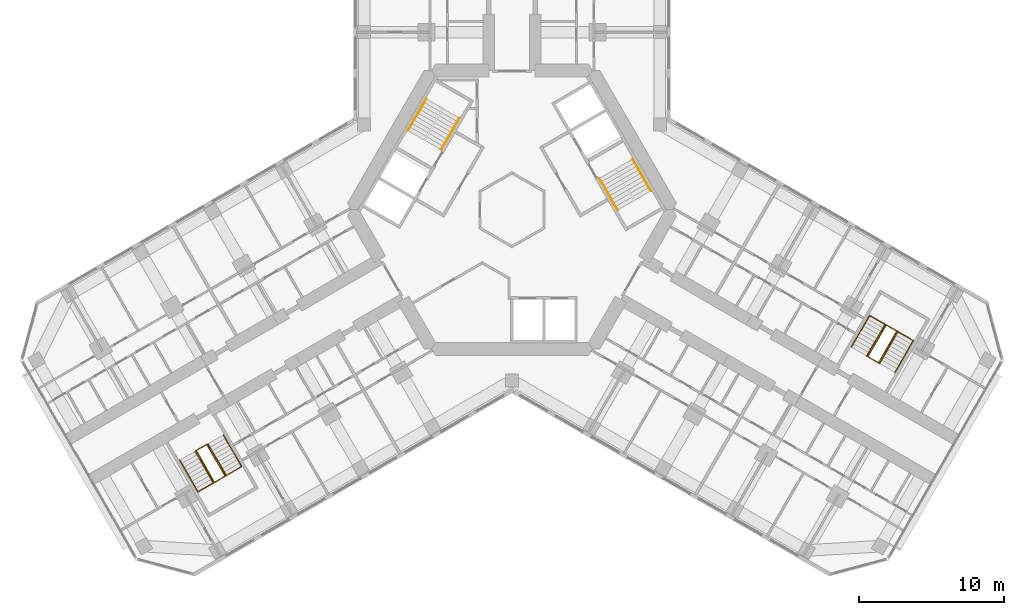
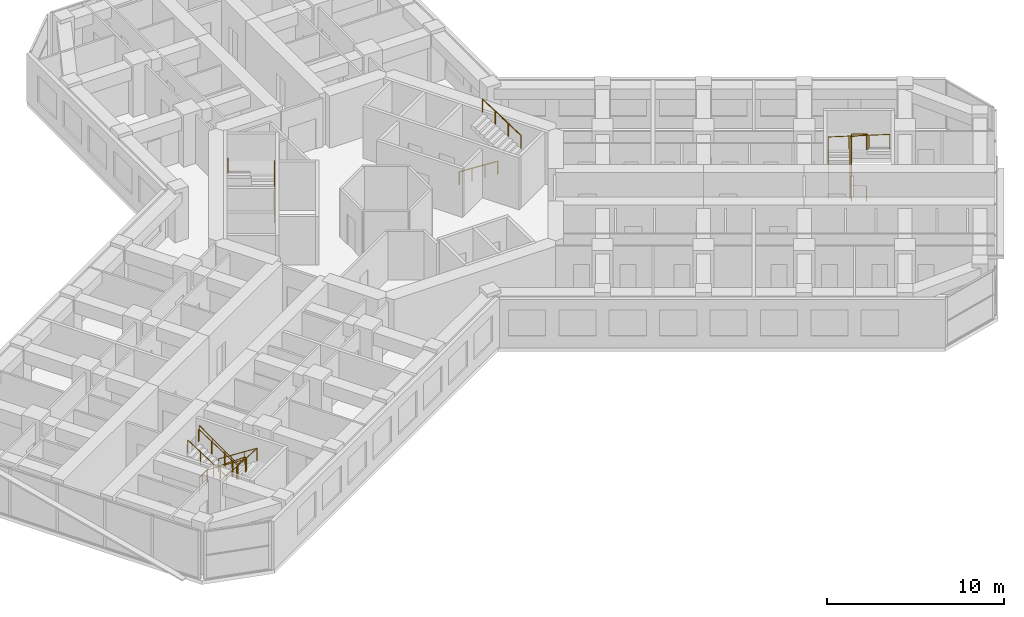
# One storey, part 20 of 20: 10 railings.
"""IFC4 building model written with IfcOpenShell, lengths in metres."""

import ifcopenshell
import ifcopenshell.guid

model = None  # the IFC model being written
_history = None  # IfcOwnerHistory: only IFC2X3 demands one
_inside = {}  # id of a spatial element -> (the spatial element, [elements in it])
_under = {}  # id of a project, library or spatial element -> (it, [spatial elements below it])
_declared = {}  # id of a project -> (the project, [libraries it declares])
_typed = {}  # id of a type object -> (the type object, [elements of that type])
_made_of = {}  # id of a material, layer set ... -> (it, [elements and type objects made of it])


def new_model(schema):
    """Start an empty IFC model of exactly this schema.

    Asked for "IFC4X3", IfcOpenShell would pick the latest addendum, in which some entities
    have other attributes; the version numbers below select the first issue.
    IFC2X3 requires an IfcOwnerHistory on every rooted entity: one is made here for all.
    """
    global model, _history
    if schema == "IFC4X3":
        model = ifcopenshell.file(schema_version=(4, 3, 0, 0))
    else:
        model = ifcopenshell.file(schema=schema)
    _inside.clear()
    _under.clear()
    _declared.clear()
    _typed.clear()
    _made_of.clear()
    _history = None
    if model.schema == "IFC2X3":
        org = make("IfcOrganization", Name="unknown")
        user = make(
            "IfcPersonAndOrganization",
            ThePerson=make("IfcPerson", FamilyName="unknown"),
            TheOrganization=org,
        )
        app = make(
            "IfcApplication",
            ApplicationDeveloper=org,
            Version="unknown",
            ApplicationFullName="unknown",
            ApplicationIdentifier="unknown",
        )
        _history = make(
            "IfcOwnerHistory",
            OwningUser=user,
            OwningApplication=app,
            ChangeAction="ADDED",
            CreationDate=0,
        )
    return model


def make(cls, **values):
    """One entity of the class cls with the attributes given. An attribute that is None is left unset."""
    return model.create_entity(
        cls, **{name: value for name, value in values.items() if value is not None}
    )


def rooted(cls, **values):
    """An entity with a GlobalId (a new one), such as an element, a storey or a relation."""
    return make(cls, GlobalId=ifcopenshell.guid.new(), OwnerHistory=_history, **values)


def si_unit(unit_type, name, prefix=None):
    """IfcSIUnit, for example si_unit("LENGTHUNIT", "METRE", prefix="MILLI")."""
    return make("IfcSIUnit", UnitType=unit_type, Prefix=prefix, Name=name)


def assignment(units):
    """IfcUnitAssignment: the units of a project."""
    return None if units is None else make("IfcUnitAssignment", Units=units)


def point(xyz):
    """IfcCartesianPoint."""
    return None if xyz is None else make("IfcCartesianPoint", Coordinates=xyz)


def direction(xyz):
    """IfcDirection."""
    return None if xyz is None else make("IfcDirection", DirectionRatios=xyz)


def frame(location, z_axis=None, x_axis=None):
    """IfcAxis2Placement3D, a coordinate frame: its origin and axes. An axis left out is left unset."""
    return make(
        "IfcAxis2Placement3D",
        Location=point(location),
        Axis=direction(z_axis),
        RefDirection=direction(x_axis),
    )


def frame_2d(location, x_axis=None):
    """IfcAxis2Placement2D, a coordinate frame in the plane: its origin and x axis."""
    return make(
        "IfcAxis2Placement2D", Location=point(location), RefDirection=direction(x_axis)
    )


def origin():
    """The frame at (0, 0, 0) with its axes left unset."""
    return frame((0.0, 0.0, 0.0))


def origin_2d():
    """The frame at (0, 0) in the plane with its x axis left unset."""
    return frame_2d((0.0, 0.0))


def place(relative_to, where):
    """IfcLocalPlacement: puts the frame where relative to a parent placement (None: the world)."""
    return make(
        "IfcLocalPlacement", PlacementRelTo=relative_to, RelativePlacement=where
    )


def context(
    kind, dimensions, precision=None, world=None, true_north=None, identifier=None
):
    """IfcGeometricRepresentationContext, for example the 3D "Model" context."""
    return make(
        "IfcGeometricRepresentationContext",
        ContextIdentifier=identifier,
        ContextType=kind,
        CoordinateSpaceDimension=dimensions,
        Precision=precision,
        WorldCoordinateSystem=world,
        TrueNorth=true_north,
    )


def subcontext(parent, identifier, kind, view, scale=None):
    """IfcGeometricRepresentationSubContext, for example "Body" below "Model"."""
    return make(
        "IfcGeometricRepresentationSubContext",
        ContextIdentifier=identifier,
        ContextType=kind,
        ParentContext=parent,
        TargetScale=scale,
        TargetView=view,
    )


def project(units=None, contexts=None):
    """IfcProject with its units and contexts."""
    return rooted(
        "IfcProject",
        Name="project",
        RepresentationContexts=contexts,
        UnitsInContext=assignment(units),
    )


def spatial(cls, under=None, at=None, **own):
    """A site, building, storey or space (cls), placed at a placement, below another one or the project."""
    s = rooted(cls, ObjectPlacement=at, **own)
    if under is not None:
        _under.setdefault(under.id(), (under, []))[1].append(s)
    return s


def profile(cls, at=None, kind="AREA", **sizes):
    """A parametric profile (cls). Its sizes go by their IFC names, for example OverallWidth=200.0."""
    return make(cls, ProfileType=kind, Position=at, **sizes)


def circle(**sizes):
    """IfcCircleProfileDef."""
    return profile("IfcCircleProfileDef", **sizes)


def extrude(swept, where, along, depth):
    """IfcExtrudedAreaSolid: the profile swept, set in the frame where, extruded along a direction by depth."""
    return make(
        "IfcExtrudedAreaSolid",
        SweptArea=swept,
        Position=where,
        ExtrudedDirection=direction(along),
        Depth=depth,
    )


def shape(context_of_items, identifier, shape_type, items):
    """IfcShapeRepresentation: the items that make up one representation, for example the "Body"."""
    return make(
        "IfcShapeRepresentation",
        ContextOfItems=context_of_items,
        RepresentationIdentifier=identifier,
        RepresentationType=shape_type,
        Items=items,
    )


def material(Name=None, Category=None):
    """IfcMaterial."""
    return make("IfcMaterial", Name=Name, Category=Category)


def made_of(thing, what):
    """Note that an element or type object is made of a material, layer set ...; save() writes the relation."""
    if what is not None:
        _made_of.setdefault(what.id(), (what, []))[1].append(thing)
    return thing


def type_object(cls, material=None, **own):
    """A type object (cls), such as IfcWallType, which elements share."""
    return made_of(rooted(cls, **own), material)


def element(
    cls,
    number,
    at=None,
    inside=None,
    cuts=None,
    type_object=None,
    material=None,
    context=None,
    identifier="Body",
    shape_type=None,
    held_by="IfcProductDefinitionShape",
    body=None,
    shapes=None,
    **own,
):
    """One element of the class cls, such as IfcWall. Its Tag is "e" and its number.

    at: its placement. inside: the storey or other place that contains it. cuts: it is an
    opening in that element (IfcRelVoidsElement). A single representation is given by context,
    identifier, shape_type and body (its items); several are given by shapes. held_by: the class
    of the entity that holds the representations. save() writes the other relations.
    """
    e = rooted(cls, Tag="e%d" % number, ObjectPlacement=at, **own)
    if body is not None:
        shapes = [shape(context, identifier, shape_type, body)]
    if shapes is not None:
        e.Representation = make(held_by, Representations=shapes)
    if inside is not None:
        _inside.setdefault(inside.id(), (inside, []))[1].append(e)
    if cuts is not None:
        rooted(
            "IfcRelVoidsElement", RelatingBuildingElement=cuts, RelatedOpeningElement=e
        )
    if type_object is not None:
        _typed.setdefault(type_object.id(), (type_object, []))[1].append(e)
    return made_of(e, material)


def aggregate(whole, parts):
    """IfcRelAggregates: a whole, such as a stair, and the parts it consists of."""
    return rooted("IfcRelAggregates", RelatingObject=whole, RelatedObjects=parts)


def save(model, path):
    """Write the relations noted so far, then the file.

    IfcRelAggregates (storeys below a building ...), IfcRelContainedInSpatialStructure (elements
    in a storey), IfcRelDefinesByType, IfcRelAssociatesMaterial and IfcRelDeclares: one each for
    every whole, place, type object, material and project.
    """
    for whole, parts in _under.values():
        aggregate(whole, parts)
    for where, things in _inside.values():
        rooted(
            "IfcRelContainedInSpatialStructure",
            RelatedElements=things,
            RelatingStructure=where,
        )
    for kind, things in _typed.values():
        rooted("IfcRelDefinesByType", RelatedObjects=things, RelatingType=kind)
    for what, things in _made_of.values():
        rooted("IfcRelAssociatesMaterial", RelatedObjects=things, RelatingMaterial=what)
    for by, libraries in _declared.values():
        rooted("IfcRelDeclares", RelatingContext=by, RelatedDefinitions=libraries)
    model.write(path)


model = new_model("IFC4")

# Units and contexts
model_context = context("Model", 3, precision=1e-05, world=origin(), true_north=direction((0.0, 1.0)))
body_context = subcontext(model_context, "Body", "Model", "MODEL_VIEW")
ifc_project = project(units=[si_unit("LENGTHUNIT", "METRE"), si_unit("AREAUNIT", "SQUARE_METRE"), si_unit("VOLUMEUNIT", "CUBIC_METRE"), si_unit("PLANEANGLEUNIT", "RADIAN"), si_unit("MASSUNIT", "GRAM", prefix="KILO")], contexts=[model_context])

# Site, building, storey
site_placement = place(None, origin())
site = spatial("IfcSite", under=ifc_project, at=site_placement, CompositionType="ELEMENT")
building_placement = place(site_placement, origin())
building = spatial("IfcBuilding", under=site, at=building_placement, Name="Kosmar Iwan School Tower", CompositionType="ELEMENT")
storey_placement = place(building_placement, frame((0.0, 0.0, 179.60009765625)))
storey = spatial("IfcBuildingStorey", under=building, at=storey_placement, Name="L45", CompositionType="ELEMENT", Elevation=179.60009765625)

# Railings
ifc_material_1 = material(Name="Black steel", Category="steel")
railing_type_1 = type_object("IfcRailingType", Name="Stair handrail 900", PredefinedType="HANDRAIL", material=ifc_material_1)
railing_1_placement = place(storey_placement, frame((-4.89453125, 4.142333984375, 0.179931640625)))
element("IfcRailing", 1, at=railing_1_placement, inside=storey, type_object=railing_type_1, Name="Handrail ST2 flight 1", PredefinedType="HANDRAIL", context=body_context, shape_type="SweptSolid", body=[
    extrude(circle(Radius=0.02392578125, at=origin_2d()), frame((0.0, 0.0, 0.8759765625), z_axis=(0.42060268101, 0.72849590497, 0.54072830624), x_axis=(-0.866022637375, 0.500004791531, 0.0)), (0.0, 0.0, 1.0), 2.99560546875),
    extrude(circle(Radius=0.02099609375, at=origin_2d()), origin(), (0.0, 0.0, 1.0), 0.851806640625),
    extrude(circle(Radius=0.02099609375, at=origin_2d()), frame((0.419921875, 0.7275390625, 0.5400390625)), (0.0, 0.0, 1.0), 0.851806640625),
    extrude(circle(Radius=0.02099609375, at=origin_2d()), frame((0.840087890625, 1.454833984375, 1.079833984375)), (0.0, 0.0, 1.0), 0.851806640625),
    extrude(circle(Radius=0.02099609375, at=origin_2d()), frame((1.260009765625, 2.182373046875, 1.619873046875)), (0.0, 0.0, 1.0), 0.851806640625),
])
railing_2_placement = place(storey_placement, frame((-5.912353515625, 7.6396484375, 1.97998046875)))
element("IfcRailing", 2, at=railing_2_placement, inside=storey, type_object=railing_type_1, Name="Handrail ST2 flight 2", PredefinedType="HANDRAIL", context=body_context, shape_type="SweptSolid", body=[
    extrude(circle(Radius=0.02392578125, at=origin_2d()), frame((0.0, 0.0, 0.8759765625), z_axis=(-0.42060268101, -0.72849590497, 0.54072830624), x_axis=(0.866022637375, -0.500004791531, 0.0)), (0.0, 0.0, 1.0), 2.99560546875),
    extrude(circle(Radius=0.02099609375, at=origin_2d()), origin(), (0.0, 0.0, 1.0), 0.851806640625),
    extrude(circle(Radius=0.02099609375, at=origin_2d()), frame((-0.419921875, -0.7275390625, 0.5400390625)), (0.0, 0.0, 1.0), 0.851806640625),
    extrude(circle(Radius=0.02099609375, at=origin_2d()), frame((-0.840087890625, -1.454833984375, 1.079833984375)), (0.0, 0.0, 1.0), 0.851806640625),
    extrude(circle(Radius=0.02099609375, at=origin_2d()), frame((-1.260009765625, -2.182373046875, 1.619873046875)), (0.0, 0.0, 1.0), 0.851806640625),
])
railing_3_placement = place(storey_placement, frame((6.03466796875, 2.167724609375, 0.179931640625)))
element("IfcRailing", 3, at=railing_3_placement, inside=storey, type_object=railing_type_1, Name="Handrail ST1 flight 1", PredefinedType="HANDRAIL", context=body_context, shape_type="SweptSolid", body=[
    extrude(circle(Radius=0.02392578125, at=origin_2d()), frame((0.0, 0.0, 0.8759765625), z_axis=(0.42060268101, -0.72849590497, 0.54072830624), x_axis=(0.866022637375, 0.500004791531, 0.0)), (0.0, 0.0, 1.0), 2.99560546875),
    extrude(circle(Radius=0.02099609375, at=origin_2d()), origin(), (0.0, 0.0, 1.0), 0.851806640625),
    extrude(circle(Radius=0.02099609375, at=origin_2d()), frame((0.419921875, -0.7275390625, 0.5400390625)), (0.0, 0.0, 1.0), 0.851806640625),
    extrude(circle(Radius=0.02099609375, at=origin_2d()), frame((0.840087890625, -1.454833984375, 1.079833984375)), (0.0, 0.0, 1.0), 0.851806640625),
    extrude(circle(Radius=0.02099609375, at=origin_2d()), frame((1.260009765625, -2.182373046875, 1.619873046875)), (0.0, 0.0, 1.0), 0.851806640625),
])
railing_4_placement = place(storey_placement, frame((9.572265625, 1.30029296875, 1.97998046875)))
element("IfcRailing", 4, at=railing_4_placement, inside=storey, type_object=railing_type_1, Name="Handrail ST1 flight 2", PredefinedType="HANDRAIL", context=body_context, shape_type="SweptSolid", body=[
    extrude(circle(Radius=0.02392578125, at=origin_2d()), frame((0.0, 0.0, 0.8759765625), z_axis=(-0.42060268101, 0.72849590497, 0.54072830624), x_axis=(-0.866022637375, -0.500004791531, 0.0)), (0.0, 0.0, 1.0), 2.99560546875),
    extrude(circle(Radius=0.02099609375, at=origin_2d()), origin(), (0.0, 0.0, 1.0), 0.851806640625),
    extrude(circle(Radius=0.02099609375, at=origin_2d()), frame((-0.419921875, 0.7275390625, 0.5400390625)), (0.0, 0.0, 1.0), 0.851806640625),
    extrude(circle(Radius=0.02099609375, at=origin_2d()), frame((-0.840087890625, 1.454833984375, 1.079833984375)), (0.0, 0.0, 1.0), 0.851806640625),
    extrude(circle(Radius=0.02099609375, at=origin_2d()), frame((-1.260009765625, 2.182373046875, 1.619873046875)), (0.0, 0.0, 1.0), 0.851806640625),
])
railing_5_placement = place(storey_placement, frame((-19.9091796875, -15.5361328125, 0.179931640625)))
element("IfcRailing", 5, at=railing_5_placement, inside=storey, type_object=railing_type_1, Name="Handrail stair WS2 L45 wall side", PredefinedType="HANDRAIL", context=body_context, shape_type="SweptSolid", body=[
    extrude(circle(Radius=0.02392578125, at=origin_2d()), frame((0.0, 0.0, 0.8759765625), z_axis=(0.420535598452, -0.728520874915, 0.540746840257), x_axis=(0.866064587494, 0.499932125682, 0.0)), (0.0, 0.0, 1.0), 2.99560546875),
    extrude(circle(Radius=0.02392578125, at=origin_2d()), frame((1.259765625, -2.182373046875, 2.49560546875), z_axis=(-0.864861221286, -0.499341050235, 0.051706706198), x_axis=(0.500009906705, -0.86601968407, 0.0)), (0.0, 0.0, 1.0), 3.484619140625),
    extrude(circle(Radius=0.02392578125, at=origin_2d()), frame((-1.75390625, -3.92236328125, 2.67578125), z_axis=(-0.42060268101, 0.72849590497, 0.54072830624), x_axis=(-0.866022637375, -0.500004791531, 0.0)), (0.0, 0.0, 1.0), 2.99560546875),
    extrude(circle(Radius=0.02099609375, at=origin_2d()), origin(), (0.0, 0.0, 1.0), 0.851806640625),
    extrude(circle(Radius=0.02099609375, at=origin_2d()), frame((0.419921875, -0.7275390625, 0.5400390625)), (0.0, 0.0, 1.0), 0.851806640625),
    extrude(circle(Radius=0.02099609375, at=origin_2d()), frame((0.83984375, -1.454833984375, 1.079833984375)), (0.0, 0.0, 1.0), 0.851806640625),
    extrude(circle(Radius=0.02099609375, at=origin_2d()), frame((1.259765625, -2.182373046875, 1.619873046875)), (0.0, 0.0, 1.0), 0.851806640625),
    extrude(circle(Radius=0.02099609375, at=origin_2d()), frame((0.255126953125, -2.762451171875, 1.679931640625)), (0.0, 0.0, 1.0), 0.851806640625),
    extrude(circle(Radius=0.02099609375, at=origin_2d()), frame((-0.749267578125, -3.34228515625, 1.739990234375)), (0.0, 0.0, 1.0), 0.851806640625),
    extrude(circle(Radius=0.02099609375, at=origin_2d()), frame((-1.75390625, -3.92236328125, 1.800048828125)), (0.0, 0.0, 1.0), 0.851806640625),
    extrude(circle(Radius=0.02099609375, at=origin_2d()), frame((-2.173828125, -3.19482421875, 2.340087890625)), (0.0, 0.0, 1.0), 0.851806640625),
    extrude(circle(Radius=0.02099609375, at=origin_2d()), frame((-2.593994140625, -2.467529296875, 2.8798828125)), (0.0, 0.0, 1.0), 0.851806640625),
    extrude(circle(Radius=0.02099609375, at=origin_2d()), frame((-3.013916015625, -1.739990234375, 3.419921875)), (0.0, 0.0, 1.0), 0.851806640625),
])
railing_6_placement = place(storey_placement, frame((-20.974609375, -16.151123046875, 0.179931640625)))
element("IfcRailing", 6, at=railing_6_placement, inside=storey, type_object=railing_type_1, Name="Handrail stair WS2 L45 well side", PredefinedType="HANDRAIL", context=body_context, shape_type="SweptSolid", body=[
    extrude(circle(Radius=0.02392578125, at=origin_2d()), frame((0.0, 0.0, 0.8759765625), z_axis=(0.42060268101, -0.72849590497, 0.54072830624), x_axis=(0.866022637375, 0.500004791531, 0.0)), (0.0, 0.0, 1.0), 2.99560546875),
    extrude(circle(Radius=0.02392578125, at=origin_2d()), frame((1.260009765625, -2.182373046875, 2.49560546875), z_axis=(-0.852806573049, -0.492402689635, 0.173955569627), x_axis=(0.500026340207, -0.866010195725, 0.0)), (0.0, 0.0, 1.0), 1.03564453125),
    extrude(circle(Radius=0.02392578125, at=origin_2d()), frame((0.376708984375, -2.6923828125, 2.67578125), z_axis=(-0.42060268101, 0.72849590497, 0.54072830624), x_axis=(-0.866022637375, -0.500004791531, 0.0)), (0.0, 0.0, 1.0), 2.99560546875),
    extrude(circle(Radius=0.02099609375, at=origin_2d()), origin(), (0.0, 0.0, 1.0), 0.851806640625),
    extrude(circle(Radius=0.02099609375, at=origin_2d()), frame((0.419921875, -0.7275390625, 0.5400390625)), (0.0, 0.0, 1.0), 0.851806640625),
    extrude(circle(Radius=0.02099609375, at=origin_2d()), frame((0.840087890625, -1.454833984375, 1.079833984375)), (0.0, 0.0, 1.0), 0.851806640625),
    extrude(circle(Radius=0.02099609375, at=origin_2d()), frame((1.260009765625, -2.182373046875, 1.619873046875)), (0.0, 0.0, 1.0), 0.851806640625),
    extrude(circle(Radius=0.02099609375, at=origin_2d()), frame((0.376708984375, -2.6923828125, 1.800048828125)), (0.0, 0.0, 1.0), 0.851806640625),
    extrude(circle(Radius=0.02099609375, at=origin_2d()), frame((-0.043212890625, -1.96484375, 2.340087890625)), (0.0, 0.0, 1.0), 0.851806640625),
    extrude(circle(Radius=0.02099609375, at=origin_2d()), frame((-0.46337890625, -1.237548828125, 2.8798828125)), (0.0, 0.0, 1.0), 0.851806640625),
    extrude(circle(Radius=0.02099609375, at=origin_2d()), frame((-0.88330078125, -0.510009765625, 3.419921875)), (0.0, 0.0, 1.0), 0.851806640625),
])
railing_7_placement = place(storey_placement, frame((23.4091796875, -9.473876953125, 0.179931640625)))
element("IfcRailing", 7, at=railing_7_placement, inside=storey, type_object=railing_type_1, Name="Handrail stair WS3 L45 wall side", PredefinedType="HANDRAIL", context=body_context, shape_type="SweptSolid", body=[
    extrude(circle(Radius=0.02392578125, at=origin_2d()), frame((0.0, 0.0, 0.8759765625), z_axis=(0.42060268101, 0.72849590497, 0.54072830624), x_axis=(-0.866022637375, 0.500004791531, 0.0)), (0.0, 0.0, 1.0), 2.99560546875),
    extrude(circle(Radius=0.02392578125, at=origin_2d()), frame((1.260009765625, 2.182373046875, 2.49560546875), z_axis=(0.864878876685, -0.499310794179, 0.051703573187), x_axis=(0.499979528911, 0.866037222451, 0.0)), (0.0, 0.0, 1.0), 3.48486328125),
    extrude(circle(Radius=0.02392578125, at=origin_2d()), frame((4.27392578125, 0.4423828125, 2.67578125), z_axis=(-0.42060268101, -0.72849590497, 0.54072830624), x_axis=(0.866022637375, -0.500004791531, 0.0)), (0.0, 0.0, 1.0), 2.99560546875),
    extrude(circle(Radius=0.02099609375, at=origin_2d()), origin(), (0.0, 0.0, 1.0), 0.851806640625),
    extrude(circle(Radius=0.02099609375, at=origin_2d()), frame((0.419921875, 0.7275390625, 0.5400390625)), (0.0, 0.0, 1.0), 0.851806640625),
    extrude(circle(Radius=0.02099609375, at=origin_2d()), frame((0.840087890625, 1.454833984375, 1.079833984375)), (0.0, 0.0, 1.0), 0.851806640625),
    extrude(circle(Radius=0.02099609375, at=origin_2d()), frame((1.260009765625, 2.182373046875, 1.619873046875)), (0.0, 0.0, 1.0), 0.851806640625),
    extrude(circle(Radius=0.02099609375, at=origin_2d()), frame((2.2646484375, 1.602294921875, 1.679931640625)), (0.0, 0.0, 1.0), 0.851806640625),
    extrude(circle(Radius=0.02099609375, at=origin_2d()), frame((3.269287109375, 1.0224609375, 1.739990234375)), (0.0, 0.0, 1.0), 0.851806640625),
    extrude(circle(Radius=0.02099609375, at=origin_2d()), frame((4.27392578125, 0.4423828125, 1.800048828125)), (0.0, 0.0, 1.0), 0.851806640625),
    extrude(circle(Radius=0.02099609375, at=origin_2d()), frame((3.85400390625, -0.28515625, 2.340087890625)), (0.0, 0.0, 1.0), 0.851806640625),
    extrude(circle(Radius=0.02099609375, at=origin_2d()), frame((3.433837890625, -1.012451171875, 2.8798828125)), (0.0, 0.0, 1.0), 0.851806640625),
    extrude(circle(Radius=0.02099609375, at=origin_2d()), frame((3.013916015625, -1.739990234375, 3.419921875)), (0.0, 0.0, 1.0), 0.851806640625),
])
railing_8_placement = place(storey_placement, frame((24.474609375, -10.0888671875, 0.179931640625)))
element("IfcRailing", 8, at=railing_8_placement, inside=storey, type_object=railing_type_1, Name="Handrail stair WS3 L45 well side", PredefinedType="HANDRAIL", context=body_context, shape_type="SweptSolid", body=[
    extrude(circle(Radius=0.02392578125, at=origin_2d()), frame((0.0, 0.0, 0.8759765625), z_axis=(0.42060268101, 0.72849590497, 0.54072830624), x_axis=(-0.866022637375, 0.500004791531, 0.0)), (0.0, 0.0, 1.0), 2.99560546875),
    extrude(circle(Radius=0.02392578125, at=origin_2d()), frame((1.260009765625, 2.182373046875, 2.49560546875), z_axis=(0.852806573049, -0.492402689635, 0.173955569627), x_axis=(0.500026340207, 0.866010195725, 0.0)), (0.0, 0.0, 1.0), 1.03564453125),
    extrude(circle(Radius=0.02392578125, at=origin_2d()), frame((2.143310546875, 1.67236328125, 2.67578125), z_axis=(-0.42060268101, -0.72849590497, 0.54072830624), x_axis=(0.866022637375, -0.500004791531, 0.0)), (0.0, 0.0, 1.0), 2.99560546875),
    extrude(circle(Radius=0.02099609375, at=origin_2d()), origin(), (0.0, 0.0, 1.0), 0.851806640625),
    extrude(circle(Radius=0.02099609375, at=origin_2d()), frame((0.419921875, 0.7275390625, 0.5400390625)), (0.0, 0.0, 1.0), 0.851806640625),
    extrude(circle(Radius=0.02099609375, at=origin_2d()), frame((0.840087890625, 1.454833984375, 1.079833984375)), (0.0, 0.0, 1.0), 0.851806640625),
    extrude(circle(Radius=0.02099609375, at=origin_2d()), frame((1.260009765625, 2.182373046875, 1.619873046875)), (0.0, 0.0, 1.0), 0.851806640625),
    extrude(circle(Radius=0.02099609375, at=origin_2d()), frame((2.143310546875, 1.67236328125, 1.800048828125)), (0.0, 0.0, 1.0), 0.851806640625),
    extrude(circle(Radius=0.02099609375, at=origin_2d()), frame((1.723388671875, 0.94482421875, 2.340087890625)), (0.0, 0.0, 1.0), 0.851806640625),
    extrude(circle(Radius=0.02099609375, at=origin_2d()), frame((1.30322265625, 0.217529296875, 2.8798828125)), (0.0, 0.0, 1.0), 0.851806640625),
    extrude(circle(Radius=0.02099609375, at=origin_2d()), frame((0.88330078125, -0.510009765625, 3.419921875)), (0.0, 0.0, 1.0), 0.851806640625),
])
ifc_material_2 = material(Name="Black steel", Category="steel")
railing_type_2 = type_object("IfcRailingType", Name="Stair well guard 1100", PredefinedType="GUARDRAIL", material=ifc_material_2)
railing_9_placement = place(storey_placement, frame((-21.780029296875, -16.6162109375, 0.0)))
element("IfcRailing", 9, at=railing_9_placement, inside=storey, type_object=railing_type_2, Name="Stair WS2 L45 well guard", PredefinedType="GUARDRAIL", context=body_context, shape_type="SweptSolid", body=[
    extrude(circle(Radius=0.02392578125, at=origin_2d()), frame((0.0, 0.0, 1.076171875), z_axis=(0.865962960534, 0.500108139288, 0.0), x_axis=(-0.500108139288, 0.865962960534, 0.0)), (0.0, 0.0, 1.0), 0.840087890625),
    extrude(circle(Radius=0.02392578125, at=origin_2d()), frame((0.7275390625, 0.420166015625, 1.076171875), z_axis=(0.406885297737, -0.704737003773, 0.581197135229), x_axis=(0.866022637375, 0.500004791531, 0.0)), (0.0, 0.0, 1.0), 3.0966796875),
    extrude(circle(Radius=0.02392578125, at=origin_2d()), frame((1.987548828125, -1.76220703125, 2.8759765625), z_axis=(-0.865962960534, -0.500108139288, 0.0), x_axis=(0.500108139288, -0.865962960534, 0.0)), (0.0, 0.0, 1.0), 0.840087890625),
    extrude(circle(Radius=0.02392578125, at=origin_2d()), frame((1.260009765625, -2.182373046875, 2.8759765625), z_axis=(-0.40686665399, 0.704704712268, 0.58124933925), x_axis=(-0.866022637375, -0.500004791531, 0.0)), (0.0, 0.0, 1.0), 3.096923828125),
    extrude(circle(Radius=0.02099609375, at=origin_2d()), origin(), (0.0, 0.0, 1.0), 1.052001953125),
    extrude(circle(Radius=0.02099609375, at=origin_2d()), frame((0.7275390625, 0.420166015625, 0.0)), (0.0, 0.0, 1.0), 1.052001953125),
    extrude(circle(Radius=0.02099609375, at=origin_2d()), frame((1.1474609375, -0.307373046875, 0.599853515625)), (0.0, 0.0, 1.0), 1.052001953125),
    extrude(circle(Radius=0.02099609375, at=origin_2d()), frame((1.567626953125, -1.03466796875, 1.199951171875)), (0.0, 0.0, 1.0), 1.052001953125),
    extrude(circle(Radius=0.02099609375, at=origin_2d()), frame((1.987548828125, -1.76220703125, 1.7998046875)), (0.0, 0.0, 1.0), 1.052001953125),
    extrude(circle(Radius=0.02099609375, at=origin_2d()), frame((1.260009765625, -2.182373046875, 1.7998046875)), (0.0, 0.0, 1.0), 1.052001953125),
    extrude(circle(Radius=0.02099609375, at=origin_2d()), frame((0.840087890625, -1.454833984375, 2.39990234375)), (0.0, 0.0, 1.0), 1.052001953125),
    extrude(circle(Radius=0.02099609375, at=origin_2d()), frame((0.419921875, -0.7275390625, 2.999755859375)), (0.0, 0.0, 1.0), 1.052001953125),
    extrude(circle(Radius=0.02099609375, at=origin_2d()), frame((0.0, 0.0, 3.599853515625)), (0.0, 0.0, 1.0), 1.052001953125),
])
railing_10_placement = place(storey_placement, frame((25.280029296875, -10.553955078125, 0.0)))
element("IfcRailing", 10, at=railing_10_placement, inside=storey, type_object=railing_type_2, Name="Stair WS3 L45 well guard", PredefinedType="GUARDRAIL", context=body_context, shape_type="SweptSolid", body=[
    extrude(circle(Radius=0.02392578125, at=origin_2d()), frame((0.0, 0.0, 1.076171875), z_axis=(-0.865962960534, 0.500108139288, 0.0), x_axis=(-0.500108139288, -0.865962960534, 0.0)), (0.0, 0.0, 1.0), 0.840087890625),
    extrude(circle(Radius=0.02392578125, at=origin_2d()), frame((-0.7275390625, 0.420166015625, 1.076171875), z_axis=(0.406885297737, 0.704737003773, 0.581197135229), x_axis=(-0.866022637375, 0.500004791531, 0.0)), (0.0, 0.0, 1.0), 3.0966796875),
    extrude(circle(Radius=0.02392578125, at=origin_2d()), frame((0.532470703125, 2.6025390625, 2.8759765625), z_axis=(0.865890253765, -0.500234013672, 0.0), x_axis=(0.500234013672, 0.865890253765, 0.0)), (0.0, 0.0, 1.0), 0.83984375),
    extrude(circle(Radius=0.02392578125, at=origin_2d()), frame((1.259765625, 2.182373046875, 2.8759765625), z_axis=(-0.406800866334, -0.70472731476, 0.58126798207), x_axis=(0.866064587494, -0.499932125682, 0.0)), (0.0, 0.0, 1.0), 3.0966796875),
    extrude(circle(Radius=0.02099609375, at=origin_2d()), origin(), (0.0, 0.0, 1.0), 1.052001953125),
    extrude(circle(Radius=0.02099609375, at=origin_2d()), frame((-0.7275390625, 0.420166015625, 0.0)), (0.0, 0.0, 1.0), 1.052001953125),
    extrude(circle(Radius=0.02099609375, at=origin_2d()), frame((-0.3076171875, 1.147705078125, 0.599853515625)), (0.0, 0.0, 1.0), 1.052001953125),
    extrude(circle(Radius=0.02099609375, at=origin_2d()), frame((0.112548828125, 1.875, 1.199951171875)), (0.0, 0.0, 1.0), 1.052001953125),
    extrude(circle(Radius=0.02099609375, at=origin_2d()), frame((0.532470703125, 2.6025390625, 1.7998046875)), (0.0, 0.0, 1.0), 1.052001953125),
    extrude(circle(Radius=0.02099609375, at=origin_2d()), frame((1.259765625, 2.182373046875, 1.7998046875)), (0.0, 0.0, 1.0), 1.052001953125),
    extrude(circle(Radius=0.02099609375, at=origin_2d()), frame((0.83984375, 1.454833984375, 2.39990234375)), (0.0, 0.0, 1.0), 1.052001953125),
    extrude(circle(Radius=0.02099609375, at=origin_2d()), frame((0.419921875, 0.7275390625, 2.999755859375)), (0.0, 0.0, 1.0), 1.052001953125),
    extrude(circle(Radius=0.02099609375, at=origin_2d()), frame((0.0, 0.0, 3.599853515625)), (0.0, 0.0, 1.0), 1.052001953125),
])

save(model, "model.ifc")
